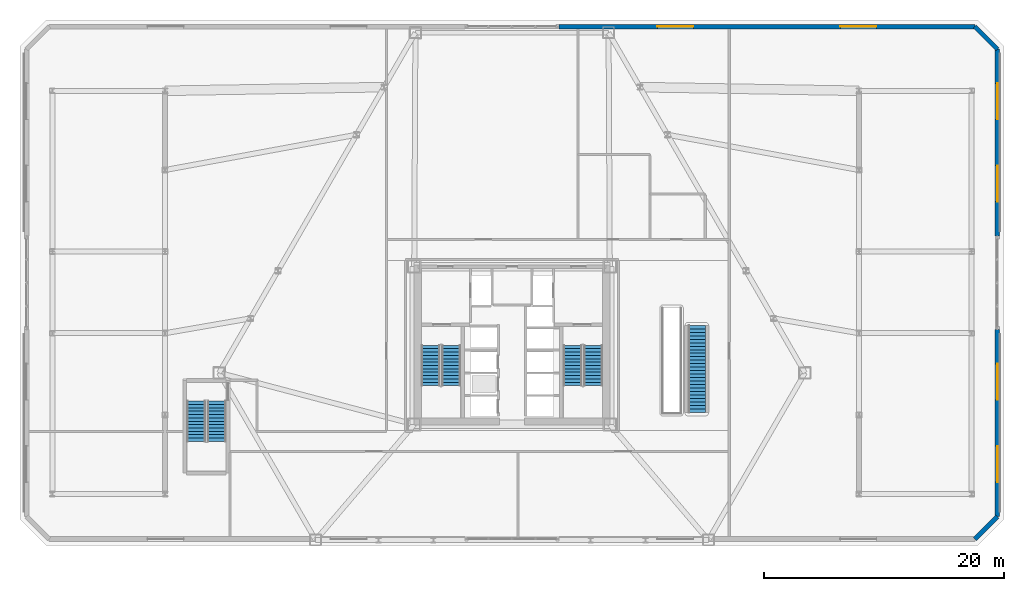
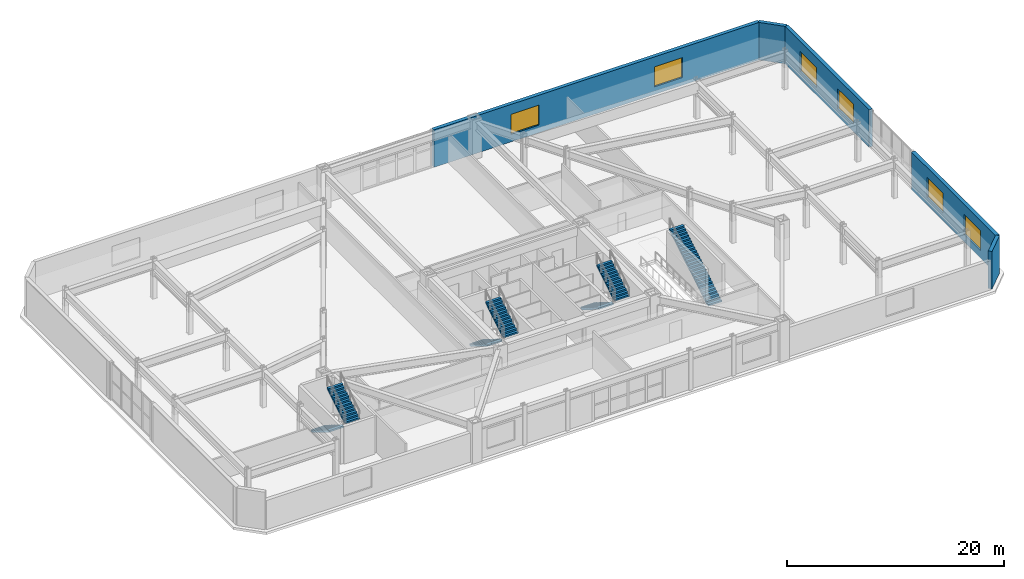
# One storey, part 16 of 21: 7 stair flights, 6 windows, 5 walls, 6 openings, 4 elements without a shape of their own.
"""IFC4 building model written with IfcOpenShell, lengths in metres."""

from ifc_helpers import new_model, si_unit, direction, frame, frame_2d, origin, place, context, subcontext, project, spatial, polyline, rectangle, outline, extrude, material, layer, layer_set, type_object, element, fill, aggregate, save


model = new_model("IFC4")

# Units and contexts
model_context = context("Model", 3, precision=1e-05, world=origin(), true_north=direction((0.0, 1.0)))
body_context = subcontext(model_context, "Body", "Model", "MODEL_VIEW")
ifc_project = project(units=[si_unit("LENGTHUNIT", "METRE"), si_unit("AREAUNIT", "SQUARE_METRE"), si_unit("VOLUMEUNIT", "CUBIC_METRE"), si_unit("PLANEANGLEUNIT", "RADIAN"), si_unit("MASSUNIT", "GRAM", prefix="KILO")], contexts=[model_context])

# Site, building, storey
site_placement = place(None, origin())
site = spatial("IfcSite", under=ifc_project, at=site_placement, CompositionType="ELEMENT")
building_placement = place(site_placement, origin())
building = spatial("IfcBuilding", under=site, at=building_placement, Name="Oramaril Tower", CompositionType="ELEMENT")
storey_placement = place(building_placement, frame((0.0, 0.0, 5.39990234375)))
storey = spatial("IfcBuildingStorey", under=building, at=storey_placement, Name="L01", CompositionType="ELEMENT", Elevation=5.39990234375)

# Wall
ifc_material_1 = material(Name="Warm Cream Limestone", Category="masonry")
ifc_layer = layer(ifc_material_1, 0.3798828125)
ifc_layer_set = layer_set([ifc_layer], Name="WT-EXT38")
wall_type = type_object("IfcWallType", Name="WT-EXT38", PredefinedType="SOLIDWALL", material=ifc_layer_set)
wall_1_placement = place(storey_placement, frame((76.072265625, 1.449951171875, 0.0), z_axis=(0.0, 0.0, 1.0), x_axis=(0.707060812925, 0.70715274646, 0.0)))
element("IfcWall", 1, at=wall_1_placement, inside=storey, type_object=wall_type, Name="L01 Limestone Facade Wall EW-2M", PredefinedType="SOLIDWALL", context=body_context, shape_type="SweptSolid", body=[
    extrude(rectangle(XDim=2.655517578125, YDim=0.3798828125, at=frame_2d((1.32763671875, 0.0))), origin(), (0.0, 0.0, 1.0), 4.22021484375),
])

# Wall, openings, windows
wall_2_placement = place(storey_placement, frame((77.949951171875, 3.327880859375, 0.0), z_axis=(0.0, 0.0, 1.0), x_axis=(0.0, 1.0, 0.0)))
wall_2 = element("IfcWall", 2, at=wall_2_placement, inside=storey, type_object=wall_type, Name="L01 Limestone Facade Wall EW-3A", PredefinedType="SOLIDWALL", context=body_context, shape_type="SweptSolid", body=[
    extrude(rectangle(XDim=15.572021484375, YDim=0.3798828125, at=frame_2d((7.7861328125, 0.0))), origin(), (0.0, 0.0, 1.0), 4.22021484375),
])
opening_1_placement = place(wall_2_placement, frame((2.860107421875, 0.0, 0.85009765625)))
opening_1 = element("IfcOpeningElement", 3, at=opening_1_placement, cuts=wall_2, Name="Opening WN-10", PredefinedType="OPENING", context=body_context, shape_type="SweptSolid", body=[
    extrude(rectangle(XDim=3.0, YDim=2.25, at=frame_2d((1.5, 1.125))), frame((0.0, 0.18994140625, 0.0), z_axis=(0.0, -1.0, 0.0), x_axis=(1.0, 0.0, 0.0)), (0.0, 0.0, 1.0), 0.3798828125),
])
opening_2_placement = place(wall_2_placement, frame((9.7119140625, 0.0, 0.85009765625)))
opening_2 = element("IfcOpeningElement", 4, at=opening_2_placement, cuts=wall_2, Name="Opening WN-10", PredefinedType="OPENING", context=body_context, shape_type="SweptSolid", body=[
    extrude(rectangle(XDim=3.0, YDim=2.25, at=frame_2d((1.5, 1.125))), frame((0.0, 0.18994140625, 0.0), z_axis=(0.0, -1.0, 0.0), x_axis=(1.0, 0.0, 0.0)), (0.0, 0.0, 1.0), 0.3798828125),
])
ifc_material_2 = material(Name="Coastal Low-E Insulated Glass", Category="glass")
window_type = type_object("IfcWindowType", Name="WNT-10", PartitioningType="SINGLE_PANEL", PredefinedType="WINDOW", material=ifc_material_2)
window_1_placement = place(opening_1_placement, origin())
window_1 = element("IfcWindow", 5, at=window_1_placement, inside=storey, type_object=window_type, Name="L01 Podium Chicago Window", OverallHeight=2.25, OverallWidth=3.0, PartitioningType="SINGLE_PANEL", PredefinedType="WINDOW", context=body_context, shape_type="SweptSolid", body=[
    extrude(rectangle(XDim=3.0, YDim=2.25, at=frame_2d((1.5, 1.125))), frame((0.0, 0.030029296875, 0.0), z_axis=(0.0, -1.0, 0.0), x_axis=(1.0, 0.0, 0.0)), (0.0, 0.0, 1.0), 0.06005859375),
])
fill(opening_1, window_1)
window_2_placement = place(opening_2_placement, origin())
window_2 = element("IfcWindow", 6, at=window_2_placement, inside=storey, type_object=window_type, Name="L01 Podium Chicago Window", OverallHeight=2.25, OverallWidth=3.0, PartitioningType="SINGLE_PANEL", PredefinedType="WINDOW", context=body_context, shape_type="SweptSolid", body=[
    extrude(rectangle(XDim=3.0, YDim=2.25, at=frame_2d((1.5, 1.125))), frame((0.0, 0.030029296875, 0.0), z_axis=(0.0, -1.0, 0.0), x_axis=(1.0, 0.0, 0.0)), (0.0, 0.0, 1.0), 0.06005859375),
])
fill(opening_2, window_2)

wall_3_placement = place(storey_placement, frame((77.949951171875, 26.699951171875, 0.0), z_axis=(0.0, 0.0, 1.0), x_axis=(0.0, 1.0, 0.0)))
wall_3 = element("IfcWall", 7, at=wall_3_placement, inside=storey, type_object=wall_type, Name="L01 Limestone Facade Wall EW-3B", PredefinedType="SOLIDWALL", context=body_context, shape_type="SweptSolid", body=[
    extrude(rectangle(XDim=15.572265625, YDim=0.3798828125, at=frame_2d((7.7861328125, 0.0))), origin(), (0.0, 0.0, 1.0), 4.22021484375),
])
opening_3_placement = place(wall_3_placement, frame((2.860107421875, 0.0, 0.85009765625)))
opening_3 = element("IfcOpeningElement", 8, at=opening_3_placement, cuts=wall_3, Name="Opening WN-10", PredefinedType="OPENING", context=body_context, shape_type="SweptSolid", body=[
    extrude(rectangle(XDim=3.0, YDim=2.25, at=frame_2d((1.5, 1.125))), frame((0.0, 0.18994140625, 0.0), z_axis=(0.0, -1.0, 0.0), x_axis=(1.0, 0.0, 0.0)), (0.0, 0.0, 1.0), 0.3798828125),
])
opening_4_placement = place(wall_3_placement, frame((9.7119140625, 0.0, 0.85009765625)))
opening_4 = element("IfcOpeningElement", 9, at=opening_4_placement, cuts=wall_3, Name="Opening WN-10", PredefinedType="OPENING", context=body_context, shape_type="SweptSolid", body=[
    extrude(rectangle(XDim=3.0, YDim=2.25, at=frame_2d((1.5, 1.125))), frame((0.0, 0.18994140625, 0.0), z_axis=(0.0, -1.0, 0.0), x_axis=(1.0, 0.0, 0.0)), (0.0, 0.0, 1.0), 0.3798828125),
])
window_3_placement = place(opening_3_placement, origin())
window_3 = element("IfcWindow", 10, at=window_3_placement, inside=storey, type_object=window_type, Name="L01 Podium Chicago Window", OverallHeight=2.25, OverallWidth=3.0, PartitioningType="SINGLE_PANEL", PredefinedType="WINDOW", context=body_context, shape_type="SweptSolid", body=[
    extrude(rectangle(XDim=3.0, YDim=2.25, at=frame_2d((1.5, 1.125))), frame((0.0, 0.030029296875, 0.0), z_axis=(0.0, -1.0, 0.0), x_axis=(1.0, 0.0, 0.0)), (0.0, 0.0, 1.0), 0.06005859375),
])
fill(opening_3, window_3)
window_4_placement = place(opening_4_placement, origin())
window_4 = element("IfcWindow", 11, at=window_4_placement, inside=storey, type_object=window_type, Name="L01 Podium Chicago Window", OverallHeight=2.25, OverallWidth=3.0, PartitioningType="SINGLE_PANEL", PredefinedType="WINDOW", context=body_context, shape_type="SweptSolid", body=[
    extrude(rectangle(XDim=3.0, YDim=2.25, at=frame_2d((1.5, 1.125))), frame((0.0, 0.030029296875, 0.0), z_axis=(0.0, -1.0, 0.0), x_axis=(1.0, 0.0, 0.0)), (0.0, 0.0, 1.0), 0.06005859375),
])
fill(opening_4, window_4)

# Wall
wall_4_placement = place(storey_placement, frame((77.949951171875, 42.272216796875, 0.0), z_axis=(0.0, 0.0, 1.0), x_axis=(-0.707106781187, 0.707106781187, 0.0)))
element("IfcWall", 12, at=wall_4_placement, inside=storey, type_object=wall_type, Name="L01 Limestone Facade Wall EW-4M", PredefinedType="SOLIDWALL", context=body_context, shape_type="SweptSolid", body=[
    extrude(rectangle(XDim=2.655517578125, YDim=0.3798828125, at=frame_2d((1.32763671875, 0.0))), origin(), (0.0, 0.0, 1.0), 4.22021484375),
])

# Wall, openings, windows
wall_5_placement = place(storey_placement, frame((76.072265625, 44.14990234375, 0.0), z_axis=(0.0, 0.0, 1.0), x_axis=(-1.0, 0.0, 0.0)))
wall_5 = element("IfcWall", 13, at=wall_5_placement, inside=storey, type_object=wall_type, Name="L01 Limestone Facade Wall EW-5A", PredefinedType="SOLIDWALL", context=body_context, shape_type="SweptSolid", body=[
    extrude(rectangle(XDim=34.67236328125, YDim=0.3798828125, at=frame_2d((17.336181640625, 0.0))), origin(), (0.0, 0.0, 1.0), 4.22021484375),
])
opening_5_placement = place(wall_5_placement, frame((8.208251953125, 0.0, 0.85009765625)))
opening_5 = element("IfcOpeningElement", 14, at=opening_5_placement, cuts=wall_5, Name="Opening WN-10", PredefinedType="OPENING", context=body_context, shape_type="SweptSolid", body=[
    extrude(rectangle(XDim=3.0, YDim=2.25, at=frame_2d((1.5, 1.125))), frame((0.0, 0.18994140625, 0.0), z_axis=(0.0, -1.0, 0.0), x_axis=(1.0, 0.0, 0.0)), (0.0, 0.0, 1.0), 0.3798828125),
])
opening_6_placement = place(wall_5_placement, frame((23.464111328125, 0.0, 0.85009765625)))
opening_6 = element("IfcOpeningElement", 15, at=opening_6_placement, cuts=wall_5, Name="Opening WN-10", PredefinedType="OPENING", context=body_context, shape_type="SweptSolid", body=[
    extrude(rectangle(XDim=3.0, YDim=2.25, at=frame_2d((1.5, 1.125))), frame((0.0, 0.18994140625, 0.0), z_axis=(0.0, -1.0, 0.0), x_axis=(1.0, 0.0, 0.0)), (0.0, 0.0, 1.0), 0.3798828125),
])
window_5_placement = place(opening_5_placement, origin())
window_5 = element("IfcWindow", 16, at=window_5_placement, inside=storey, type_object=window_type, Name="L01 Podium Chicago Window", OverallHeight=2.25, OverallWidth=3.0, PartitioningType="SINGLE_PANEL", PredefinedType="WINDOW", context=body_context, shape_type="SweptSolid", body=[
    extrude(rectangle(XDim=3.0, YDim=2.25, at=frame_2d((1.5, 1.125))), frame((0.0, 0.030029296875, 0.0), z_axis=(0.0, -1.0, 0.0), x_axis=(1.0, 0.0, 0.0)), (0.0, 0.0, 1.0), 0.06005859375),
])
fill(opening_5, window_5)
window_6_placement = place(opening_6_placement, origin())
window_6 = element("IfcWindow", 17, at=window_6_placement, inside=storey, type_object=window_type, Name="L01 Podium Chicago Window", OverallHeight=2.25, OverallWidth=3.0, PartitioningType="SINGLE_PANEL", PredefinedType="WINDOW", context=body_context, shape_type="SweptSolid", body=[
    extrude(rectangle(XDim=3.0, YDim=2.25, at=frame_2d((1.5, 1.125))), frame((0.0, 0.030029296875, 0.0), z_axis=(0.0, -1.0, 0.0), x_axis=(1.0, 0.0, 0.0)), (0.0, 0.0, 1.0), 0.06005859375),
])
fill(opening_6, window_6)

# Stair, stair flights
ifc_material_3 = material(Name="Concrete C50/60", Category="concrete")
stair_type_1 = type_object("IfcStairType", Name="STT-DG-4500", PredefinedType="HALF_TURN_STAIR", material=ifc_material_3)
stair_1_placement = place(storey_placement, origin())
stair_1 = element("IfcStair", 18, at=stair_1_placement, inside=storey, type_object=stair_type_1, Name="L01 Protected PFP Exit Stair ST-1", PredefinedType="HALF_TURN_STAIR")
ifc_material_4 = material(Name="Concrete C50/60", Category="concrete")
stair_flight_type_1 = type_object("IfcStairFlightType", Name="SFT-DG-4500", PredefinedType="STRAIGHT", material=ifc_material_4)
stair_flight_1_placement = place(storey_placement, frame((30.72998046875, 17.590087890625, 0.0), z_axis=(0.0, 0.0, 1.0), x_axis=(0.0, -1.0, 0.0)))
stair_flight_1 = element("IfcStairFlight", 19, at=stair_flight_1_placement, type_object=stair_flight_type_1, Name="ST-1 flight 1", NumberOfRisers=13, NumberOfTreads=12, PredefinedType="STRAIGHT", RiserHeight=0.173076923, TreadLength=0.28, context=body_context, shape_type="SweptSolid", body=[
    extrude(outline(polyline([(0.0, 0.0), (0.0, 0.173095703125), (0.280029296875, 0.173095703125), (0.280029296875, 0.34619140625), (0.56005859375, 0.34619140625), (0.56005859375, 0.519287109375), (0.840087890625, 0.519287109375), (0.840087890625, 0.6923828125), (1.1201171875, 0.6923828125), (1.1201171875, 0.865478515625), (1.39990234375, 0.865478515625), (1.39990234375, 1.03857421875), (1.679931640625, 1.03857421875), (1.679931640625, 1.21142578125), (1.9599609375, 1.21142578125), (1.9599609375, 1.384521484375), (2.239990234375, 1.384521484375), (2.239990234375, 1.5576171875), (2.52001953125, 1.5576171875), (2.52001953125, 1.730712890625), (2.800048828125, 1.730712890625), (2.800048828125, 1.90380859375), (3.080078125, 1.90380859375), (3.080078125, 2.076904296875), (3.360107421875, 2.076904296875), (3.360107421875, 2.25), (3.360107421875, 1.900634765625), (0.28515625, 0.0), (0.0, 0.0)])), frame((0.0, 0.780029296875, 0.0), z_axis=(0.0, -1.0, 0.0), x_axis=(1.0, 0.0, 0.0)), (0.0, 0.0, 1.0), 1.56005859375),
])
stair_flight_2_placement = place(storey_placement, frame((32.43994140625, 14.22998046875, 2.25), z_axis=(0.0, 0.0, 1.0), x_axis=(0.0, 1.0, 0.0)))
stair_flight_2 = element("IfcStairFlight", 20, at=stair_flight_2_placement, type_object=stair_flight_type_1, Name="ST-1 flight 2", NumberOfRisers=13, NumberOfTreads=12, PredefinedType="STRAIGHT", RiserHeight=0.173076923, TreadLength=0.28, context=body_context, shape_type="SweptSolid", body=[
    extrude(outline(polyline([(0.0, 0.0), (0.0, 0.173095703125), (0.280029296875, 0.173095703125), (0.280029296875, 0.34619140625), (0.56005859375, 0.34619140625), (0.56005859375, 0.519287109375), (0.840087890625, 0.519287109375), (0.840087890625, 0.6923828125), (1.1201171875, 0.6923828125), (1.1201171875, 0.865478515625), (1.39990234375, 0.865478515625), (1.39990234375, 1.03857421875), (1.679931640625, 1.03857421875), (1.679931640625, 1.21142578125), (1.9599609375, 1.21142578125), (1.9599609375, 1.384521484375), (2.239990234375, 1.384521484375), (2.239990234375, 1.5576171875), (2.52001953125, 1.5576171875), (2.52001953125, 1.730712890625), (2.800048828125, 1.730712890625), (2.800048828125, 1.90380859375), (3.080078125, 1.90380859375), (3.080078125, 2.076904296875), (3.360107421875, 2.076904296875), (3.360107421875, 2.25), (3.360107421875, 1.900634765625), (0.28515625, 0.0), (0.0, 0.0)])), frame((0.0, 0.780029296875, 0.0), z_axis=(0.0, -1.0, 0.0), x_axis=(1.0, 0.0, 0.0)), (0.0, 0.0, 1.0), 1.56005859375),
])
aggregate(stair_1, [stair_flight_1, stair_flight_2])

stair_2_placement = place(storey_placement, origin())
stair_2 = element("IfcStair", 21, at=stair_2_placement, inside=storey, type_object=stair_type_1, Name="L01 Protected PFP Exit Stair ST-2", PredefinedType="HALF_TURN_STAIR")
stair_flight_3_placement = place(storey_placement, frame((42.56005859375, 17.590087890625, 0.0), z_axis=(0.0, 0.0, 1.0), x_axis=(0.0, -1.0, 0.0)))
stair_flight_3 = element("IfcStairFlight", 22, at=stair_flight_3_placement, type_object=stair_flight_type_1, Name="ST-2 flight 1", NumberOfRisers=13, NumberOfTreads=12, PredefinedType="STRAIGHT", RiserHeight=0.173076923, TreadLength=0.28, context=body_context, shape_type="SweptSolid", body=[
    extrude(outline(polyline([(0.0, 0.0), (0.0, 0.173095703125), (0.280029296875, 0.173095703125), (0.280029296875, 0.34619140625), (0.56005859375, 0.34619140625), (0.56005859375, 0.519287109375), (0.840087890625, 0.519287109375), (0.840087890625, 0.6923828125), (1.1201171875, 0.6923828125), (1.1201171875, 0.865478515625), (1.39990234375, 0.865478515625), (1.39990234375, 1.03857421875), (1.679931640625, 1.03857421875), (1.679931640625, 1.21142578125), (1.9599609375, 1.21142578125), (1.9599609375, 1.384521484375), (2.239990234375, 1.384521484375), (2.239990234375, 1.5576171875), (2.52001953125, 1.5576171875), (2.52001953125, 1.730712890625), (2.800048828125, 1.730712890625), (2.800048828125, 1.90380859375), (3.080078125, 1.90380859375), (3.080078125, 2.076904296875), (3.360107421875, 2.076904296875), (3.360107421875, 2.25), (3.360107421875, 1.900634765625), (0.28515625, 0.0), (0.0, 0.0)])), frame((0.0, 0.780029296875, 0.0), z_axis=(0.0, -1.0, 0.0), x_axis=(1.0, 0.0, 0.0)), (0.0, 0.0, 1.0), 1.56005859375),
])
stair_flight_4_placement = place(storey_placement, frame((44.27001953125, 14.22998046875, 2.25), z_axis=(0.0, 0.0, 1.0), x_axis=(0.0, 1.0, 0.0)))
stair_flight_4 = element("IfcStairFlight", 23, at=stair_flight_4_placement, type_object=stair_flight_type_1, Name="ST-2 flight 2", NumberOfRisers=13, NumberOfTreads=12, PredefinedType="STRAIGHT", RiserHeight=0.173076923, TreadLength=0.28, context=body_context, shape_type="SweptSolid", body=[
    extrude(outline(polyline([(0.0, 0.0), (0.0, 0.173095703125), (0.280029296875, 0.173095703125), (0.280029296875, 0.34619140625), (0.56005859375, 0.34619140625), (0.56005859375, 0.519287109375), (0.840087890625, 0.519287109375), (0.840087890625, 0.6923828125), (1.1201171875, 0.6923828125), (1.1201171875, 0.865478515625), (1.39990234375, 0.865478515625), (1.39990234375, 1.03857421875), (1.679931640625, 1.03857421875), (1.679931640625, 1.21142578125), (1.9599609375, 1.21142578125), (1.9599609375, 1.384521484375), (2.239990234375, 1.384521484375), (2.239990234375, 1.5576171875), (2.52001953125, 1.5576171875), (2.52001953125, 1.730712890625), (2.800048828125, 1.730712890625), (2.800048828125, 1.90380859375), (3.080078125, 1.90380859375), (3.080078125, 2.076904296875), (3.360107421875, 2.076904296875), (3.360107421875, 2.25), (3.360107421875, 1.900634765625), (0.28515625, 0.0), (0.0, 0.0)])), frame((0.0, 0.780029296875, 0.0), z_axis=(0.0, -1.0, 0.0), x_axis=(1.0, 0.0, 0.0)), (0.0, 0.0, 1.0), 1.56005859375),
])
aggregate(stair_2, [stair_flight_3, stair_flight_4])

stair_3_placement = place(storey_placement, origin())
stair_3 = element("IfcStair", 24, at=stair_3_placement, inside=storey, type_object=stair_type_1, Name="L01 Podium Enclosed Exit Stair ST-3", PredefinedType="HALF_TURN_STAIR")
stair_flight_5_placement = place(storey_placement, frame((11.179931640625, 12.93994140625, 0.0), z_axis=(0.0, 0.0, 1.0), x_axis=(0.0, -1.0, 0.0)))
stair_flight_5 = element("IfcStairFlight", 25, at=stair_flight_5_placement, type_object=stair_flight_type_1, Name="ST-3 flight 1", NumberOfRisers=13, NumberOfTreads=12, PredefinedType="STRAIGHT", RiserHeight=0.173076923, TreadLength=0.28, context=body_context, shape_type="SweptSolid", body=[
    extrude(outline(polyline([(0.0, 0.0), (0.0, 0.173095703125), (0.280029296875, 0.173095703125), (0.280029296875, 0.34619140625), (0.56005859375, 0.34619140625), (0.56005859375, 0.519287109375), (0.840087890625, 0.519287109375), (0.840087890625, 0.6923828125), (1.1201171875, 0.6923828125), (1.1201171875, 0.865478515625), (1.39990234375, 0.865478515625), (1.39990234375, 1.03857421875), (1.679931640625, 1.03857421875), (1.679931640625, 1.21142578125), (1.9599609375, 1.21142578125), (1.9599609375, 1.384521484375), (2.239990234375, 1.384521484375), (2.239990234375, 1.5576171875), (2.52001953125, 1.5576171875), (2.52001953125, 1.730712890625), (2.800048828125, 1.730712890625), (2.800048828125, 1.90380859375), (3.080078125, 1.90380859375), (3.080078125, 2.076904296875), (3.360107421875, 2.076904296875), (3.360107421875, 2.25), (3.360107421875, 1.900634765625), (0.28515625, 0.0), (0.0, 0.0)])), frame((0.0, 0.780029296875, 0.0), z_axis=(0.0, -1.0, 0.0), x_axis=(1.0, 0.0, 0.0)), (0.0, 0.0, 1.0), 1.56005859375),
])
stair_flight_6_placement = place(storey_placement, frame((12.889892578125, 9.580078125, 2.25), z_axis=(0.0, 0.0, 1.0), x_axis=(0.0, 1.0, 0.0)))
stair_flight_6 = element("IfcStairFlight", 26, at=stair_flight_6_placement, type_object=stair_flight_type_1, Name="ST-3 flight 2", NumberOfRisers=13, NumberOfTreads=12, PredefinedType="STRAIGHT", RiserHeight=0.173076923, TreadLength=0.28, context=body_context, shape_type="SweptSolid", body=[
    extrude(outline(polyline([(0.0, 0.0), (0.0, 0.173095703125), (0.280029296875, 0.173095703125), (0.280029296875, 0.34619140625), (0.56005859375, 0.34619140625), (0.56005859375, 0.519287109375), (0.840087890625, 0.519287109375), (0.840087890625, 0.6923828125), (1.1201171875, 0.6923828125), (1.1201171875, 0.865478515625), (1.39990234375, 0.865478515625), (1.39990234375, 1.03857421875), (1.679931640625, 1.03857421875), (1.679931640625, 1.21142578125), (1.9599609375, 1.21142578125), (1.9599609375, 1.384521484375), (2.239990234375, 1.384521484375), (2.239990234375, 1.5576171875), (2.52001953125, 1.5576171875), (2.52001953125, 1.730712890625), (2.800048828125, 1.730712890625), (2.800048828125, 1.90380859375), (3.080078125, 1.90380859375), (3.080078125, 2.076904296875), (3.360107421875, 2.076904296875), (3.360107421875, 2.25), (3.360107421875, 1.900634765625), (0.28515625, 0.0), (0.0, 0.0)])), frame((0.0, 0.780029296875, 0.0), z_axis=(0.0, -1.0, 0.0), x_axis=(1.0, 0.0, 0.0)), (0.0, 0.0, 1.0), 1.56005859375),
])
aggregate(stair_3, [stair_flight_5, stair_flight_6])

# Stair, stair flight
ifc_material_5 = material(Name="Concrete C40/50", Category="concrete")
stair_type_2 = type_object("IfcStairType", Name="STT-SR-ST-4B", PredefinedType="STRAIGHT_RUN_STAIR", material=ifc_material_5)
stair_4_placement = place(storey_placement, origin())
stair_4 = element("IfcStair", 27, at=stair_4_placement, inside=storey, type_object=stair_type_2, Name="L01 Architectural Feature Stair ST-4B", PredefinedType="STRAIGHT_RUN_STAIR")
ifc_material_6 = material(Name="Concrete C40/50", Category="concrete")
stair_flight_type_2 = type_object("IfcStairFlightType", Name="SFT-SR-ST-4B", PredefinedType="STRAIGHT", material=ifc_material_6)
stair_flight_7_placement = place(storey_placement, frame((52.89990234375, 12.0, 0.0), z_axis=(0.0, 0.0, 1.0), x_axis=(0.0, 1.0, 0.0)))
stair_flight_7 = element("IfcStairFlight", 28, at=stair_flight_7_placement, type_object=stair_flight_type_2, Name="ST-4B flight 1", NumberOfRisers=26, NumberOfTreads=25, PredefinedType="STRAIGHT", RiserHeight=0.173077, TreadLength=0.29, context=body_context, shape_type="SweptSolid", body=[
    extrude(outline(polyline([(0.0, 0.0), (0.0, 0.173095703125), (0.2900390625, 0.173095703125), (0.2900390625, 0.34619140625), (0.580078125, 0.34619140625), (0.580078125, 0.519287109375), (0.8701171875, 0.519287109375), (0.8701171875, 0.6923828125), (1.159912109375, 0.6923828125), (1.159912109375, 0.865478515625), (1.449951171875, 0.865478515625), (1.449951171875, 1.03857421875), (1.739990234375, 1.03857421875), (1.739990234375, 1.21142578125), (2.030029296875, 1.21142578125), (2.030029296875, 1.384521484375), (2.320068359375, 1.384521484375), (2.320068359375, 1.5576171875), (2.610107421875, 1.5576171875), (2.610107421875, 1.730712890625), (2.89990234375, 1.730712890625), (2.89990234375, 1.90380859375), (3.18994140625, 1.90380859375), (3.18994140625, 2.076904296875), (3.47998046875, 2.076904296875), (3.47998046875, 2.25), (3.77001953125, 2.25), (3.77001953125, 2.423095703125), (4.06005859375, 2.423095703125), (4.06005859375, 2.59619140625), (4.35009765625, 2.59619140625), (4.35009765625, 2.769287109375), (4.639892578125, 2.769287109375), (4.639892578125, 2.9423828125), (4.929931640625, 2.9423828125), (4.929931640625, 3.115478515625), (5.219970703125, 3.115478515625), (5.219970703125, 3.28857421875), (5.510009765625, 3.28857421875), (5.510009765625, 3.46142578125), (5.800048828125, 3.46142578125), (5.800048828125, 3.634521484375), (6.090087890625, 3.634521484375), (6.090087890625, 3.8076171875), (6.3798828125, 3.8076171875), (6.3798828125, 3.980712890625), (6.669921875, 3.980712890625), (6.669921875, 4.15380859375), (6.9599609375, 4.15380859375), (6.9599609375, 4.326904296875), (7.25, 4.326904296875), (7.25, 4.5), (7.25, 4.117431640625), (0.35107421875, 0.0), (0.0, 0.0)])), frame((0.0, 0.72509765625, 0.0), z_axis=(0.0, -1.0, 0.0), x_axis=(1.0, 0.0, 0.0)), (0.0, 0.0, 1.0), 1.449951171875),
])
aggregate(stair_4, [stair_flight_7])

save(model, "model.ifc")
